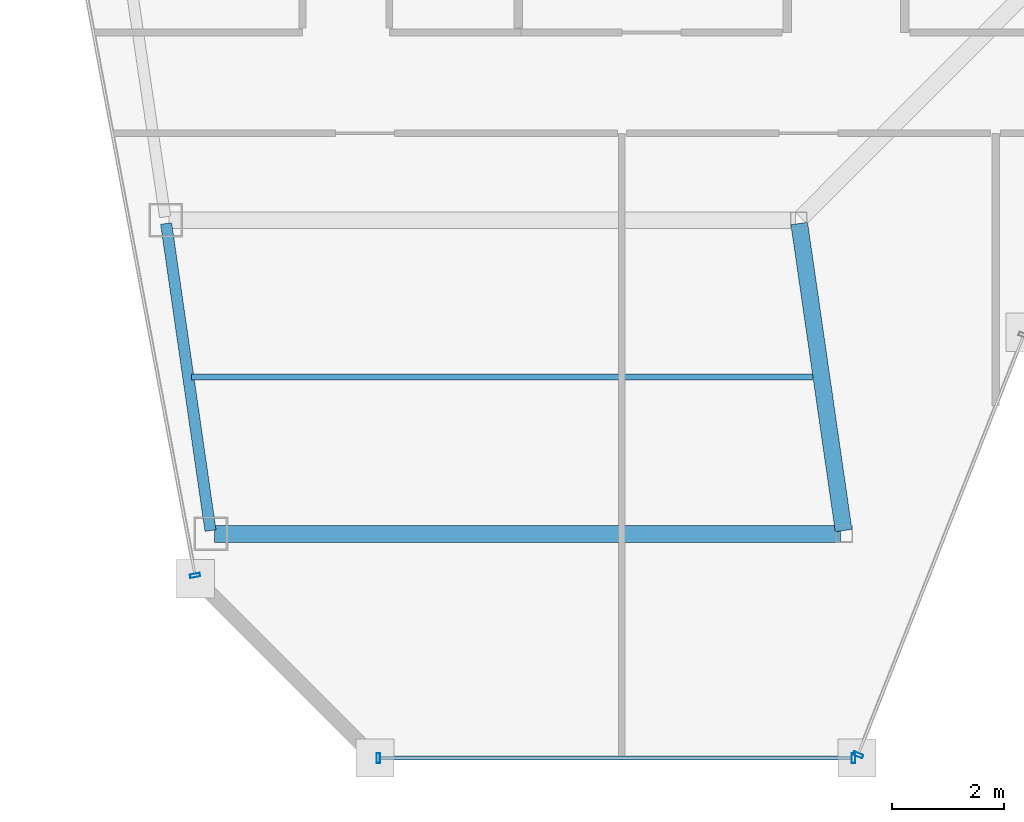
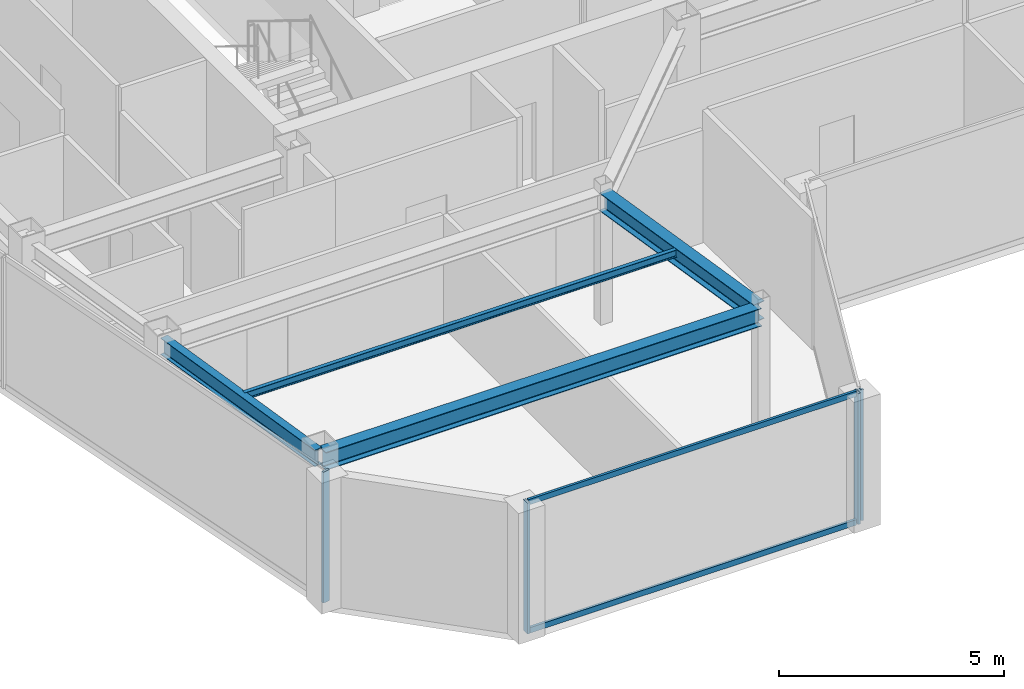
# One storey, part 3 of 23: 6 members, 4 beams, 3 elements without a shape of their own.
"""IFC4 building model written with IfcOpenShell, lengths in metres."""

from ifc_helpers import new_model, si_unit, direction, frame, origin, origin_2d, place, context, subcontext, project, spatial, hollow_rectangle, i_section, extrude, material, material_profile, profile_set, type_object, element, aggregate, save


model = new_model("IFC4")

# Units and contexts
model_context = context("Model", 3, precision=1e-05, world=origin(), true_north=direction((0.0, 1.0)))
body_context = subcontext(model_context, "Body", "Model", "MODEL_VIEW")
ifc_project = project(units=[si_unit("LENGTHUNIT", "METRE"), si_unit("AREAUNIT", "SQUARE_METRE"), si_unit("VOLUMEUNIT", "CUBIC_METRE"), si_unit("PLANEANGLEUNIT", "RADIAN"), si_unit("MASSUNIT", "GRAM", prefix="KILO")], contexts=[model_context])

# Site, building, storey
site_placement = place(None, origin())
site = spatial("IfcSite", under=ifc_project, at=site_placement, CompositionType="ELEMENT")
building_placement = place(site_placement, origin())
building = spatial("IfcBuilding", under=site, at=building_placement, Name="Saevonmaru Cultural Tower", CompositionType="ELEMENT")
storey_placement = place(building_placement, frame((0.0, 0.0, 283.800048828125)))
storey = spatial("IfcBuildingStorey", under=building, at=storey_placement, Name="L67", CompositionType="ELEMENT", Elevation=283.800048828125)

# Beams
ifc_material_1 = material(Name="Steel SM355", Category="steel")
ifc_material_profile_1 = material_profile(ifc_material_1, i_section(OverallWidth=0.300048828125, OverallDepth=0.488037109375, WebThickness=0.010986328125, FlangeThickness=0.01806640625, FilletRadius=0.02197265625, at=origin_2d()), Name="H-488x300x11x18")
ifc_profile_set_1 = profile_set([ifc_material_profile_1], Name="Steel SM355")
beam_type_1 = type_object("IfcBeamType", Name="BM-G-H488", PredefinedType="BEAM", material=ifc_profile_set_1)
beam_1_placement = place(storey_placement, frame((19.6083984375, 32.059326171875, 3.305908203125), z_axis=(-0.142964121327, 0.989727871697, 0.0), x_axis=(-0.989727871697, -0.142964121327, 0.0)))
element("IfcBeam", 1, at=beam_1_placement, inside=storey, type_object=beam_type_1, Name="L67 West Atrium Girder 1", PredefinedType="BEAM", context=body_context, shape_type="SweptSolid", body=[
    extrude(i_section(OverallWidth=0.300048828125, OverallDepth=0.488037109375, WebThickness=0.010986328125, FlangeThickness=0.01806640625, FilletRadius=0.02197265625, at=origin_2d()), origin(), (0.0, 0.0, 1.0), 5.5380859375),
])
beam_2_placement = place(storey_placement, frame((8.376953125, 32.0, 3.305908203125), z_axis=(1.0, 0.0, 0.0), x_axis=(0.0, 1.0, 0.0)))
element("IfcBeam", 2, at=beam_2_placement, inside=storey, type_object=beam_type_1, Name="L67 West Wing Transverse Girder 1", PredefinedType="BEAM", context=body_context, shape_type="SweptSolid", body=[
    extrude(i_section(OverallWidth=0.300048828125, OverallDepth=0.488037109375, WebThickness=0.010986328125, FlangeThickness=0.01806640625, FilletRadius=0.02197265625, at=origin_2d()), origin(), (0.0, 0.0, 1.0), 11.179931640625),
])
ifc_material_profile_2 = material_profile(ifc_material_1, i_section(OverallWidth=0.10009765625, OverallDepth=0.199951171875, WebThickness=0.005615234375, FlangeThickness=0.008056640625, FilletRadius=0.008056640625, at=origin_2d()), Name="H-200x100x5.5x8")
ifc_profile_set_2 = profile_set([ifc_material_profile_2], Name="Steel SM355")
beam_type_2 = type_object("IfcBeamType", Name="BM-J-H200", PredefinedType="JOIST", material=ifc_profile_set_2)
beam_3_placement = place(storey_placement, frame((7.972412109375, 34.800048828125, 3.449951171875), z_axis=(1.0, 0.0, 0.0), x_axis=(0.0, 1.0, 0.0)))
element("IfcBeam", 3, at=beam_3_placement, inside=storey, type_object=beam_type_2, Name="L67 West Wing Floor Joist 1", PredefinedType="JOIST", context=body_context, shape_type="SweptSolid", body=[
    extrude(i_section(OverallWidth=0.10009765625, OverallDepth=0.199951171875, WebThickness=0.005615234375, FlangeThickness=0.008056640625, FilletRadius=0.008056640625, at=origin_2d()), origin(), (0.0, 0.0, 1.0), 11.08203125),
])
ifc_material_profile_3 = material_profile(ifc_material_1, i_section(OverallWidth=0.199951171875, OverallDepth=0.449951171875, WebThickness=0.009033203125, FlangeThickness=0.013916015625, FilletRadius=0.01806640625, at=origin_2d()), Name="H-450x200x9x14")
ifc_profile_set_3 = profile_set([ifc_material_profile_3], Name="Steel SM355")
beam_type_3 = type_object("IfcBeamType", Name="BM-SP-H450", PredefinedType="SPANDREL", material=ifc_profile_set_3)
beam_4_placement = place(storey_placement, frame((8.308349609375, 32.059326171875, 3.324951171875), z_axis=(-0.142964121327, 0.989727871697, 0.0), x_axis=(-0.989727871697, -0.142964121327, 0.0)))
element("IfcBeam", 4, at=beam_4_placement, inside=storey, type_object=beam_type_3, Name="L67 West Splayed Spandrel 1", PredefinedType="SPANDREL", context=body_context, shape_type="SweptSolid", body=[
    extrude(i_section(OverallWidth=0.199951171875, OverallDepth=0.449951171875, WebThickness=0.009033203125, FlangeThickness=0.013916015625, FilletRadius=0.01806640625, at=origin_2d()), origin(), (0.0, 0.0, 1.0), 5.5380859375),
])

# Curtain wall, members
ifc_material_2 = material(Name="Satin Bronze Anodised Aluminium", Category="aluminium")
curtain_wall_type = type_object("IfcCurtainWallType", Name="CW-TYP-B", PredefinedType="NOTDEFINED", material=ifc_material_2)
curtain_wall_1_placement = place(storey_placement, origin())
curtain_wall_1 = element("IfcCurtainWall", 5, at=curtain_wall_1_placement, inside=storey, type_object=curtain_wall_type, Name="L67 Unitised Curtain Wall E2", PredefinedType="NOTDEFINED")
ifc_material_profile_4 = material_profile(ifc_material_2, hollow_rectangle(XDim=0.06494140625, YDim=0.179931640625, WallThickness=0.00390625, at=origin_2d()), Name="ALU-MULL-180x65x4")
ifc_profile_set_4 = profile_set([ifc_material_profile_4], Name="Satin Bronze Anodised Aluminium")
member_type_1 = type_object("IfcMemberType", Name="ML-CW-180x65", PredefinedType="MULLION", material=ifc_profile_set_4)
member_1_placement = place(storey_placement, frame((11.304443359375, 28.0, 0.0), z_axis=(0.0, 0.0, 1.0), x_axis=(1.0, 0.0, 0.0)))
member_1 = element("IfcMember", 6, at=member_1_placement, type_object=member_type_1, Name="CW-TW-L67-E2 mullion 1", PredefinedType="MULLION", context=body_context, shape_type="SweptSolid", body=[
    extrude(hollow_rectangle(XDim=0.06494140625, YDim=0.179931640625, WallThickness=0.00390625, at=origin_2d()), origin(), (0.0, 0.0, 1.0), 3.550048828125),
])
member_2_placement = place(storey_placement, frame((19.784423828125, 28.0, 0.0), z_axis=(0.0, 0.0, 1.0), x_axis=(1.0, 0.0, 0.0)))
member_2 = element("IfcMember", 7, at=member_2_placement, type_object=member_type_1, Name="CW-TW-L67-E2 mullion 2", PredefinedType="MULLION", context=body_context, shape_type="SweptSolid", body=[
    extrude(hollow_rectangle(XDim=0.06494140625, YDim=0.179931640625, WallThickness=0.00390625, at=origin_2d()), origin(), (0.0, 0.0, 1.0), 3.550048828125),
])

# Curtain wall, member
curtain_wall_2_placement = place(storey_placement, origin())
curtain_wall_2 = element("IfcCurtainWall", 8, at=curtain_wall_2_placement, inside=storey, type_object=curtain_wall_type, Name="L67 Unitised Curtain Wall E3", PredefinedType="NOTDEFINED")
member_3_placement = place(storey_placement, frame((19.866455078125, 28.055908203125, 0.0), z_axis=(0.0, 0.0, 1.0), x_axis=(0.367172185578, 0.930152990716, 0.0)))
member_3 = element("IfcMember", 9, at=member_3_placement, type_object=member_type_1, Name="CW-TW-L67-E3 mullion 1", PredefinedType="MULLION", context=body_context, shape_type="SweptSolid", body=[
    extrude(hollow_rectangle(XDim=0.06494140625, YDim=0.179931640625, WallThickness=0.00390625, at=origin_2d()), origin(), (0.0, 0.0, 1.0), 3.550048828125),
])
aggregate(curtain_wall_2, [member_3])

curtain_wall_3_placement = place(storey_placement, origin())
curtain_wall_3 = element("IfcCurtainWall", 10, at=curtain_wall_3_placement, inside=storey, type_object=curtain_wall_type, Name="L67 Unitised Curtain Wall E12", PredefinedType="NOTDEFINED")
member_4_placement = place(storey_placement, frame((8.033447265625, 31.259033203125, 0.0), z_axis=(0.0, 0.0, 1.0), x_axis=(0.184046528232, -0.982917532373, 0.0)))
member_4 = element("IfcMember", 11, at=member_4_placement, type_object=member_type_1, Name="CW-TW-L67-E12 mullion 3", PredefinedType="MULLION", context=body_context, shape_type="SweptSolid", body=[
    extrude(hollow_rectangle(XDim=0.06494140625, YDim=0.179931640625, WallThickness=0.00390625, at=origin_2d()), origin(), (0.0, 0.0, 1.0), 3.550048828125),
])
aggregate(curtain_wall_3, [member_4])

# Member
ifc_material_profile_5 = material_profile(ifc_material_2, hollow_rectangle(XDim=0.06494140625, YDim=0.14990234375, WallThickness=0.00390625, at=origin_2d()), Name="ALU-TRAN-150x65x4")
ifc_profile_set_5 = profile_set([ifc_material_profile_5], Name="Satin Bronze Anodised Aluminium")
member_type_2 = type_object("IfcMemberType", Name="TR-CW-150x65", PredefinedType="USERDEFINED", material=ifc_profile_set_5)
member_5_placement = place(storey_placement, frame((11.3369140625, 28.0, 0.032470703125), z_axis=(1.0, 0.0, 0.0), x_axis=(0.0, 1.0, 0.0)))
member_5 = element("IfcMember", 12, at=member_5_placement, type_object=member_type_2, Name="CW-TW-L67-E2 transom 1.1", ObjectType="TRANSOM", PredefinedType="USERDEFINED", context=body_context, shape_type="SweptSolid", body=[
    extrude(hollow_rectangle(XDim=0.06494140625, YDim=0.14990234375, WallThickness=0.00390625, at=origin_2d()), origin(), (0.0, 0.0, 1.0), 8.4150390625),
])

member_6_placement = place(storey_placement, frame((11.3369140625, 28.0, 3.517333984375), z_axis=(1.0, 0.0, 0.0), x_axis=(0.0, 1.0, 0.0)))
member_6 = element("IfcMember", 13, at=member_6_placement, type_object=member_type_2, Name="CW-TW-L67-E2 transom 1.2", ObjectType="TRANSOM", PredefinedType="USERDEFINED", context=body_context, shape_type="SweptSolid", body=[
    extrude(hollow_rectangle(XDim=0.06494140625, YDim=0.14990234375, WallThickness=0.00390625, at=origin_2d()), origin(), (0.0, 0.0, 1.0), 8.4150390625),
])

aggregate(curtain_wall_1, [member_1, member_2, member_5, member_6])

save(model, "model.ifc")
